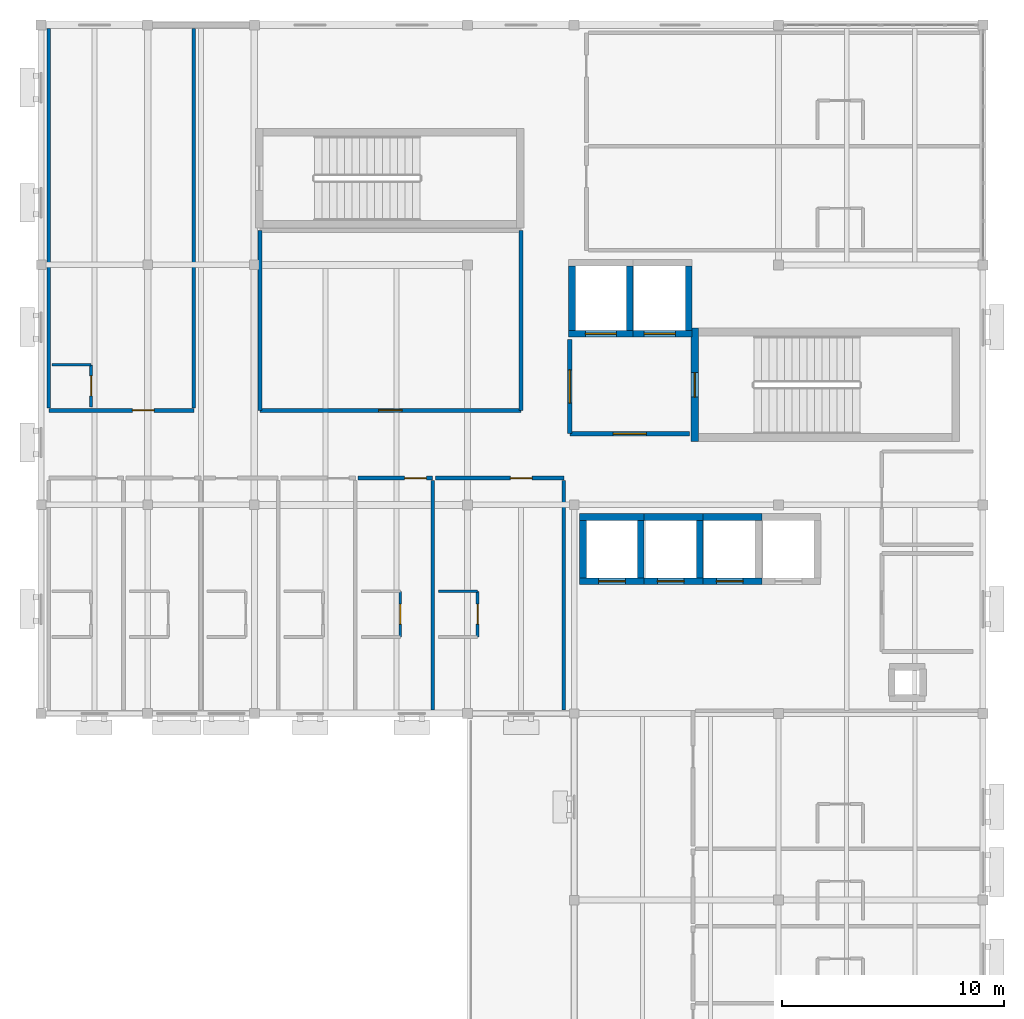
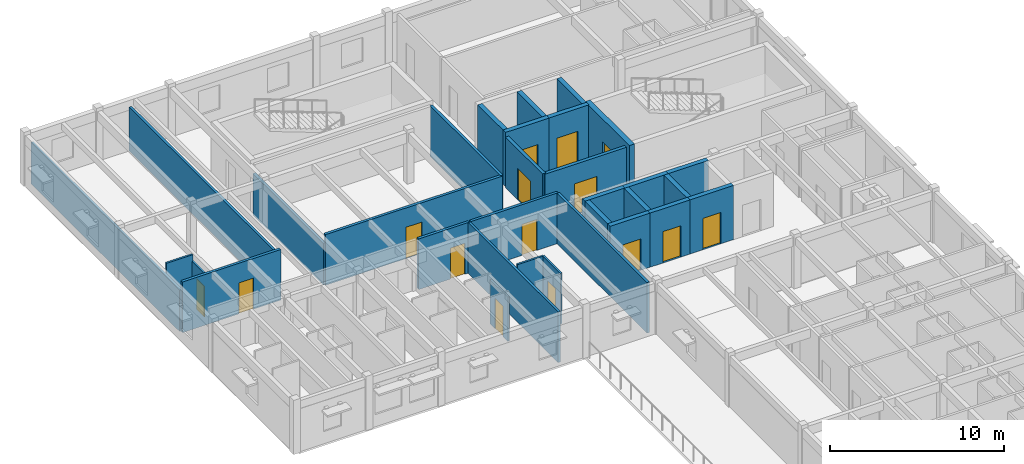
# One storey, part 9 of 18: 32 walls, 15 doors, 15 openings.
"""IFC4 building model written with IfcOpenShell, lengths in metres."""

from ifc_helpers import new_model, si_unit, direction, frame, frame_2d, origin, place, context, subcontext, project, spatial, rectangle, extrude, material, layer, layer_set, type_object, element, fill, save


model = new_model("IFC4")

# Units and contexts
model_context = context("Model", 3, precision=1e-05, world=origin(), true_north=direction((0.0, 1.0)))
body_context = subcontext(model_context, "Body", "Model", "MODEL_VIEW")
ifc_project = project(units=[si_unit("LENGTHUNIT", "METRE"), si_unit("AREAUNIT", "SQUARE_METRE"), si_unit("VOLUMEUNIT", "CUBIC_METRE"), si_unit("PLANEANGLEUNIT", "RADIAN"), si_unit("MASSUNIT", "GRAM", prefix="KILO")], contexts=[model_context])

# Site, building, storey
site_placement = place(None, origin())
site = spatial("IfcSite", under=ifc_project, at=site_placement, CompositionType="ELEMENT")
building_placement = place(site_placement, origin())
building = spatial("IfcBuilding", under=site, at=building_placement, Name="Veldera Park Congress Hotel", CompositionType="ELEMENT")
storey_placement = place(building_placement, frame((0.0, 0.0, 31.39990234375)))
storey = spatial("IfcBuildingStorey", under=building, at=storey_placement, Name="L07", CompositionType="ELEMENT", Elevation=31.39990234375)

# Wall, opening, door
ifc_material_1 = material(Name="Fire-Rated Gypsum Board on Cold-Formed Steel Studs", Category="steel")
ifc_layer_1 = layer(ifc_material_1, 0.1201171875)
ifc_layer_set_1 = layer_set([ifc_layer_1], Name="Fire-Rated Gypsum Board on Cold-Formed Steel Studs")
wall_type_1 = type_object("IfcWallType", Name="IW-BATH120", PredefinedType="PARTITIONING", material=ifc_layer_set_1)
wall_1_placement = place(storey_placement, frame((57.77001953125, 30.449951171875, 0.0), z_axis=(0.0, 0.0, 1.0), x_axis=(0.0, 1.0, 0.0)))
wall_1 = element("IfcWall", 1, at=wall_1_placement, inside=storey, type_object=wall_type_1, Name="L07 Partition Wall IW3-L07-01455", PredefinedType="PARTITIONING", context=body_context, shape_type="SweptSolid", body=[
    extrude(rectangle(XDim=2.050048828125, YDim=0.1201171875, at=frame_2d((1.02490234375, 0.0))), origin(), (0.0, 0.0, 1.0), 3.10009765625),
])
opening_1_placement = place(wall_1_placement, frame((0.574951171875, 0.0, 0.0)))
opening_1 = element("IfcOpeningElement", 2, at=opening_1_placement, cuts=wall_1, Name="Opening ID-BATH090", PredefinedType="OPENING", context=body_context, shape_type="SweptSolid", body=[
    extrude(rectangle(XDim=0.89990234375, YDim=2.14990234375, at=frame_2d((0.449951171875, 1.074951171875))), frame((0.0, 0.072021484375, 0.0), z_axis=(0.0, -1.0, 0.0), x_axis=(1.0, 0.0, 0.0)), (0.0, 0.0, 1.0), 0.14404296875),
])
ifc_material_2 = material(Name="Solid Core White Oak Architectural Door", Category="wood")
door_type_1 = type_object("IfcDoorType", Name="ID-BATH090", OperationType="NOTDEFINED", PredefinedType="DOOR", material=ifc_material_2)
door_1_placement = place(opening_1_placement, origin())
door_1 = element("IfcDoor", 3, at=door_1_placement, inside=storey, type_object=door_type_1, Name="L07 En-suite 232 Door ID3-L07-0603 (DR3-ID3-L07-0603)", OperationType="SINGLE_SWING_LEFT", OverallHeight=2.14990234375, OverallWidth=0.89990234375, PredefinedType="DOOR", context=body_context, shape_type="SweptSolid", body=[
    extrude(rectangle(XDim=0.89990234375, YDim=2.14990234375, at=frame_2d((0.449951171875, 1.074951171875))), frame((0.0, 0.02490234375, 0.0), z_axis=(0.0, -1.0, 0.0), x_axis=(1.0, 0.0, 0.0)), (0.0, 0.0, 1.0), 0.050048828125),
])
fill(opening_1, door_1)

# Wall
wall_2_placement = place(storey_placement, frame((59.5, 32.5, 0.0), z_axis=(0.0, 0.0, 1.0), x_axis=(1.0, 0.0, 0.0)))
element("IfcWall", 4, at=wall_2_placement, inside=storey, type_object=wall_type_1, Name="L07 Partition Wall IW3-L07-01459", PredefinedType="PARTITIONING", context=body_context, shape_type="SweptSolid", body=[
    extrude(rectangle(XDim=1.75, YDim=0.1201171875, at=frame_2d((0.875, 0.0))), origin(), (0.0, 0.0, 1.0), 3.55517578125),
])

# Wall, opening, door
wall_3_placement = place(storey_placement, frame((61.25, 30.449951171875, 0.0), z_axis=(0.0, 0.0, 1.0), x_axis=(0.0, 1.0, 0.0)))
wall_3 = element("IfcWall", 5, at=wall_3_placement, inside=storey, type_object=wall_type_1, Name="L07 Partition Wall IW3-L07-01460", PredefinedType="PARTITIONING", context=body_context, shape_type="SweptSolid", body=[
    extrude(rectangle(XDim=2.050048828125, YDim=0.1201171875, at=frame_2d((1.02490234375, 0.0))), origin(), (0.0, 0.0, 1.0), 3.55517578125),
])
opening_2_placement = place(wall_3_placement, frame((0.574951171875, 0.0, 0.0)))
opening_2 = element("IfcOpeningElement", 6, at=opening_2_placement, cuts=wall_3, Name="Opening ID-BATH090", PredefinedType="OPENING", context=body_context, shape_type="SweptSolid", body=[
    extrude(rectangle(XDim=0.89990234375, YDim=2.14990234375, at=frame_2d((0.449951171875, 1.074951171875))), frame((0.0, 0.072021484375, 0.0), z_axis=(0.0, -1.0, 0.0), x_axis=(1.0, 0.0, 0.0)), (0.0, 0.0, 1.0), 0.14404296875),
])
door_2_placement = place(opening_2_placement, origin())
door_2 = element("IfcDoor", 7, at=door_2_placement, inside=storey, type_object=door_type_1, Name="L07 En-suite 233 Door ID3-L07-0605 (DR3-ID3-L07-0605)", OperationType="SINGLE_SWING_LEFT", OverallHeight=2.14990234375, OverallWidth=0.89990234375, PredefinedType="DOOR", context=body_context, shape_type="SweptSolid", body=[
    extrude(rectangle(XDim=0.89990234375, YDim=2.14990234375, at=frame_2d((0.449951171875, 1.074951171875))), frame((0.0, 0.02490234375, 0.0), z_axis=(0.0, -1.0, 0.0), x_axis=(1.0, 0.0, 0.0)), (0.0, 0.0, 1.0), 0.050048828125),
])
fill(opening_2, door_2)

wall_4_placement = place(storey_placement, frame((43.85009765625, 40.800048828125, 0.0), z_axis=(0.0, 0.0, 1.0), x_axis=(0.0, 1.0, 0.0)))
wall_4 = element("IfcWall", 8, at=wall_4_placement, inside=storey, type_object=wall_type_1, Name="L07 Partition Wall IW3-L07-01476", PredefinedType="PARTITIONING", context=body_context, shape_type="SweptSolid", body=[
    extrude(rectangle(XDim=1.89990234375, YDim=0.1201171875, at=frame_2d((0.949951171875, 0.0))), origin(), (0.0, 0.0, 1.0), 3.10009765625),
])
opening_3_placement = place(wall_4_placement, frame((0.5, 0.0, 0.0)))
opening_3 = element("IfcOpeningElement", 9, at=opening_3_placement, cuts=wall_4, Name="Opening ID-BATH090", PredefinedType="OPENING", context=body_context, shape_type="SweptSolid", body=[
    extrude(rectangle(XDim=0.89990234375, YDim=2.14990234375, at=frame_2d((0.449951171875, 1.074951171875))), frame((0.0, 0.072021484375, 0.0), z_axis=(0.0, -1.0, 0.0), x_axis=(1.0, 0.0, 0.0)), (0.0, 0.0, 1.0), 0.14404296875),
])
door_3_placement = place(opening_3_placement, origin())
door_3 = element("IfcDoor", 10, at=door_3_placement, inside=storey, type_object=door_type_1, Name="L07 En-suite 236 Door ID3-L07-0611 (DR3-ID3-L07-0611)", OperationType="SINGLE_SWING_LEFT", OverallHeight=2.14990234375, OverallWidth=0.89990234375, PredefinedType="DOOR", context=body_context, shape_type="SweptSolid", body=[
    extrude(rectangle(XDim=0.89990234375, YDim=2.14990234375, at=frame_2d((0.449951171875, 1.074951171875))), frame((0.0, 0.02490234375, 0.0), z_axis=(0.0, -1.0, 0.0), x_axis=(1.0, 0.0, 0.0)), (0.0, 0.0, 1.0), 0.050048828125),
])
fill(opening_3, door_3)

# Wall
wall_5_placement = place(storey_placement, frame((42.10009765625, 42.699951171875, 0.0), z_axis=(0.0, 0.0, 1.0), x_axis=(1.0, 0.0, 0.0)))
element("IfcWall", 11, at=wall_5_placement, inside=storey, type_object=wall_type_1, Name="L07 Partition Wall IW3-L07-01477", PredefinedType="PARTITIONING", context=body_context, shape_type="SweptSolid", body=[
    extrude(rectangle(XDim=1.75, YDim=0.1201171875, at=frame_2d((0.875, 0.0))), origin(), (0.0, 0.0, 1.0), 3.55517578125),
])

# Wall, opening, door
ifc_layer_2 = layer(ifc_material_1, 0.179931640625)
ifc_layer_set_2 = layer_set([ifc_layer_2], Name="Fire-Rated Gypsum Board on Cold-Formed Steel Studs")
wall_type_2 = type_object("IfcWallType", Name="IW-CORR180", PredefinedType="PARTITIONING", material=ifc_layer_set_2)
wall_6_placement = place(storey_placement, frame((51.449951171875, 40.64990234375, 0.0), z_axis=(0.0, 0.0, 1.0), x_axis=(1.0, 0.0, 0.0)))
wall_6 = element("IfcWall", 12, at=wall_6_placement, inside=storey, type_object=wall_type_2, Name="L07 Partition Wall IW3-L07-00296", PredefinedType="PARTITIONING", context=body_context, shape_type="SweptSolid", body=[
    extrude(rectangle(XDim=11.75, YDim=0.179931640625, at=frame_2d((5.875, 0.0))), origin(), (0.0, 0.0, 1.0), 3.55517578125),
])
opening_4_placement = place(wall_6_placement, frame((5.35009765625, 0.0, 0.0)))
opening_4 = element("IfcOpeningElement", 13, at=opening_4_placement, cuts=wall_6, Name="Opening ID-MEET105", PredefinedType="OPENING", context=body_context, shape_type="SweptSolid", body=[
    extrude(rectangle(XDim=1.050048828125, YDim=2.199951171875, at=frame_2d((0.52490234375, 1.10009765625))), frame((0.0, 0.10205078125, 0.0), z_axis=(0.0, -1.0, 0.0), x_axis=(1.0, 0.0, 0.0)), (0.0, 0.0, 1.0), 0.203857421875),
])
door_type_2 = type_object("IfcDoorType", Name="ID-MEET105", OperationType="NOTDEFINED", PredefinedType="DOOR", material=ifc_material_2)
door_4_placement = place(opening_4_placement, origin())
door_4 = element("IfcDoor", 14, at=door_4_placement, inside=storey, type_object=door_type_2, Name="L07 L07 North Garden Executive Boardroom Door ID3-L07-0110 (DR3-ID3-L07-0110)", OperationType="SINGLE_SWING_LEFT", OverallHeight=2.199951171875, OverallWidth=1.050048828125, PredefinedType="DOOR", context=body_context, shape_type="SweptSolid", body=[
    extrude(rectangle(XDim=1.050048828125, YDim=2.199951171875, at=frame_2d((0.52490234375, 1.10009765625))), frame((0.0, 0.02490234375, 0.0), z_axis=(0.0, -1.0, 0.0), x_axis=(1.0, 0.0, 0.0)), (0.0, 0.0, 1.0), 0.050048828125),
])
fill(opening_4, door_4)

# Walls
wall_7_placement = place(storey_placement, frame((63.199951171875, 40.64990234375, 0.0), z_axis=(0.0, 0.0, 1.0), x_axis=(0.0, 1.0, 0.0)))
element("IfcWall", 15, at=wall_7_placement, inside=storey, type_object=wall_type_2, Name="L07 Partition Wall IW3-L07-00297", PredefinedType="PARTITIONING", context=body_context, shape_type="SweptSolid", body=[
    extrude(rectangle(XDim=8.10009765625, YDim=0.179931640625, at=frame_2d((4.050048828125, 0.0))), origin(), (0.0, 0.0, 1.0), 3.55517578125),
])
wall_8_placement = place(storey_placement, frame((51.449951171875, 48.75, 0.0), z_axis=(0.0, 0.0, 1.0), x_axis=(0.0, -1.0, 0.0)))
element("IfcWall", 16, at=wall_8_placement, inside=storey, type_object=wall_type_2, Name="L07 Partition Wall IW3-L07-00299", PredefinedType="PARTITIONING", context=body_context, shape_type="SweptSolid", body=[
    extrude(rectangle(XDim=8.10009765625, YDim=0.179931640625, at=frame_2d((4.050048828125, 0.0))), origin(), (0.0, 0.0, 1.0), 2.91015625),
])

# Wall, opening, door
wall_9_placement = place(storey_placement, frame((59.22998046875, 37.60009765625, 0.0), z_axis=(0.0, 0.0, 1.0), x_axis=(-1.0, 0.0, 0.0)))
wall_9 = element("IfcWall", 17, at=wall_9_placement, inside=storey, type_object=wall_type_2, Name="L07 Corridor Wall IW3-L07-01452", PredefinedType="PARTITIONING", context=body_context, shape_type="SweptSolid", body=[
    extrude(rectangle(XDim=3.35986328125, YDim=0.179931640625, at=frame_2d((1.679931640625, 0.0))), origin(), (0.0, 0.0, 1.0), 3.55517578125),
])
opening_5_placement = place(wall_9_placement, frame((0.280029296875, 0.0, 0.0)))
opening_5 = element("IfcOpeningElement", 18, at=opening_5_placement, cuts=wall_9, Name="Opening ID-UNIT098", PredefinedType="OPENING", context=body_context, shape_type="SweptSolid", body=[
    extrude(rectangle(XDim=0.97998046875, YDim=2.179931640625, at=frame_2d((0.489990234375, 1.08984375))), frame((0.0, 0.10205078125, 0.0), z_axis=(0.0, -1.0, 0.0), x_axis=(1.0, 0.0, 0.0)), (0.0, 0.0, 1.0), 0.203857421875),
])
door_type_3 = type_object("IfcDoorType", Name="ID-UNIT098", OperationType="NOTDEFINED", PredefinedType="DOOR", material=ifc_material_2)
door_5_placement = place(opening_5_placement, frame((0.97998046875, 0.0, 0.0), z_axis=(0.0, 0.0, 1.0), x_axis=(-1.0, 0.0, 0.0)))
door_5 = element("IfcDoor", 19, at=door_5_placement, inside=storey, type_object=door_type_3, Name="L07 Guestroom 232 Entry Door (DR3-UD3-L07-232)", OperationType="SINGLE_SWING_RIGHT", OverallHeight=2.179931640625, OverallWidth=0.97998046875, PredefinedType="DOOR", context=body_context, shape_type="SweptSolid", body=[
    extrude(rectangle(XDim=0.97998046875, YDim=2.179931640625, at=frame_2d((0.489990234375, 1.08984375))), frame((0.0, 0.02490234375, 0.0), z_axis=(0.0, -1.0, 0.0), x_axis=(1.0, 0.0, 0.0)), (0.0, 0.0, 1.0), 0.050048828125),
])
fill(opening_5, door_5)

wall_10_placement = place(storey_placement, frame((65.1298828125, 37.60009765625, 0.0), z_axis=(0.0, 0.0, 1.0), x_axis=(-1.0, 0.0, 0.0)))
wall_10 = element("IfcWall", 20, at=wall_10_placement, inside=storey, type_object=wall_type_2, Name="L07 Corridor Wall IW3-L07-01457", PredefinedType="PARTITIONING", context=body_context, shape_type="SweptSolid", body=[
    extrude(rectangle(XDim=5.77978515625, YDim=0.179931640625, at=frame_2d((2.889892578125, 0.0))), origin(), (0.0, 0.0, 1.0), 3.55517578125),
])
opening_6_placement = place(wall_10_placement, frame((1.419921875, 0.0, 0.0)))
opening_6 = element("IfcOpeningElement", 21, at=opening_6_placement, cuts=wall_10, Name="Opening ID-UNIT098", PredefinedType="OPENING", context=body_context, shape_type="SweptSolid", body=[
    extrude(rectangle(XDim=0.97998046875, YDim=2.179931640625, at=frame_2d((0.489990234375, 1.08984375))), frame((0.0, 0.10205078125, 0.0), z_axis=(0.0, -1.0, 0.0), x_axis=(1.0, 0.0, 0.0)), (0.0, 0.0, 1.0), 0.203857421875),
])
door_6_placement = place(opening_6_placement, frame((0.97998046875, 0.0, 0.0), z_axis=(0.0, 0.0, 1.0), x_axis=(-1.0, 0.0, 0.0)))
door_6 = element("IfcDoor", 22, at=door_6_placement, inside=storey, type_object=door_type_3, Name="L07 Guestroom 233 Entry Door (DR3-UD3-L07-233)", OperationType="SINGLE_SWING_RIGHT", OverallHeight=2.179931640625, OverallWidth=0.97998046875, PredefinedType="DOOR", context=body_context, shape_type="SweptSolid", body=[
    extrude(rectangle(XDim=0.97998046875, YDim=2.179931640625, at=frame_2d((0.489990234375, 1.08984375))), frame((0.0, 0.02490234375, 0.0), z_axis=(0.0, -1.0, 0.0), x_axis=(1.0, 0.0, 0.0)), (0.0, 0.0, 1.0), 0.050048828125),
])
fill(opening_6, door_6)

wall_11_placement = place(storey_placement, frame((41.949951171875, 40.64990234375, 0.0), z_axis=(0.0, 0.0, 1.0), x_axis=(1.0, 0.0, 0.0)))
wall_11 = element("IfcWall", 23, at=wall_11_placement, inside=storey, type_object=wall_type_2, Name="L07 Corridor Wall IW3-L07-01473", PredefinedType="PARTITIONING", context=body_context, shape_type="SweptSolid", body=[
    extrude(rectangle(XDim=6.530029296875, YDim=0.179931640625, at=frame_2d((3.26513671875, 0.0))), origin(), (0.0, 0.0, 1.0), 3.55517578125),
])
opening_7_placement = place(wall_11_placement, frame((3.7548828125, 0.0, 0.0)))
opening_7 = element("IfcOpeningElement", 24, at=opening_7_placement, cuts=wall_11, Name="Opening ID-UNIT098", PredefinedType="OPENING", context=body_context, shape_type="SweptSolid", body=[
    extrude(rectangle(XDim=0.97998046875, YDim=2.179931640625, at=frame_2d((0.489990234375, 1.08984375))), frame((0.0, 0.10205078125, 0.0), z_axis=(0.0, -1.0, 0.0), x_axis=(1.0, 0.0, 0.0)), (0.0, 0.0, 1.0), 0.203857421875),
])
door_7_placement = place(opening_7_placement, frame((0.97998046875, 0.0, 0.0), z_axis=(0.0, 0.0, 1.0), x_axis=(-1.0, 0.0, 0.0)))
door_7 = element("IfcDoor", 25, at=door_7_placement, inside=storey, type_object=door_type_3, Name="L07 Guestroom 236 Entry Door (DR3-UD3-L07-236)", OperationType="SINGLE_SWING_RIGHT", OverallHeight=2.179931640625, OverallWidth=0.97998046875, PredefinedType="DOOR", context=body_context, shape_type="SweptSolid", body=[
    extrude(rectangle(XDim=0.97998046875, YDim=2.179931640625, at=frame_2d((0.489990234375, 1.08984375))), frame((0.0, 0.02490234375, 0.0), z_axis=(0.0, -1.0, 0.0), x_axis=(1.0, 0.0, 0.0)), (0.0, 0.0, 1.0), 0.050048828125),
])
fill(opening_7, door_7)

ifc_material_3 = material(Name="Concrete f'c 40 MPa (5,800 psi)", Category="concrete")
ifc_layer_3 = layer(ifc_material_3, 0.219970703125)
ifc_layer_set_3 = layer_set([ifc_layer_3], Name="Concrete f'c 40 MPa (5,800 psi)")
wall_type_3 = type_object("IfcWallType", Name="IW-FIRE220", PredefinedType="STANDARD", material=ifc_layer_set_3)
wall_12_placement = place(storey_placement, frame((65.39990234375, 39.60009765625, 0.0), z_axis=(0.0, 0.0, 1.0), x_axis=(1.0, 0.0, 0.0)))
wall_12 = element("IfcWall", 26, at=wall_12_placement, inside=storey, type_object=wall_type_3, Name="L07 Partition Wall IW3-L07-00285", PredefinedType="STANDARD", context=body_context, shape_type="SweptSolid", body=[
    extrude(rectangle(XDim=5.400146484375, YDim=0.219970703125, at=frame_2d((2.7001953125, 0.0))), origin(), (0.0, 0.0, 1.0), 3.55517578125),
])
opening_8_placement = place(wall_12_placement, frame((1.949951171875, 0.0, 0.0)))
opening_8 = element("IfcOpeningElement", 27, at=opening_8_placement, cuts=wall_12, Name="Opening ID-LOB150", PredefinedType="OPENING", context=body_context, shape_type="SweptSolid", body=[
    extrude(rectangle(XDim=1.5, YDim=2.199951171875, at=frame_2d((0.75, 1.10009765625))), frame((0.0, 0.1220703125, 0.0), z_axis=(0.0, -1.0, 0.0), x_axis=(1.0, 0.0, 0.0)), (0.0, 0.0, 1.0), 0.243896484375),
])
ifc_material_4 = material(Name="Hollow Metal Fire-Rated Steel Door", Category="steel")
door_type_4 = type_object("IfcDoorType", Name="ID-LOB150", OperationType="DOUBLE_DOOR_SINGLE_SWING", PredefinedType="DOOR", material=ifc_material_4)
door_8_placement = place(opening_8_placement, origin())
door_8 = element("IfcDoor", 28, at=door_8_placement, inside=storey, type_object=door_type_4, Name="L07 Firefighting Lobby Door ID3-L07-0105 (DR3-ID3-L07-0105)", OperationType="DOUBLE_DOOR_SINGLE_SWING", OverallHeight=2.199951171875, OverallWidth=1.5, PredefinedType="DOOR", context=body_context, shape_type="SweptSolid", body=[
    extrude(rectangle(XDim=1.5, YDim=2.199951171875, at=frame_2d((0.75, 1.10009765625))), frame((0.0, 0.02490234375, 0.0), z_axis=(0.0, -1.0, 0.0), x_axis=(1.0, 0.0, 0.0)), (0.0, 0.0, 1.0), 0.050048828125),
])
fill(opening_8, door_8)

wall_13_placement = place(storey_placement, frame((65.39990234375, 43.85009765625, 0.0), z_axis=(0.0, 0.0, 1.0), x_axis=(0.0, -1.0, 0.0)))
wall_13 = element("IfcWall", 29, at=wall_13_placement, inside=storey, type_object=wall_type_3, Name="L07 Partition Wall IW3-L07-00286", PredefinedType="STANDARD", context=body_context, shape_type="SweptSolid", body=[
    extrude(rectangle(XDim=4.25, YDim=0.219970703125, at=frame_2d((2.125, 0.0))), origin(), (0.0, 0.0, 1.0), 3.55517578125),
])
opening_9_placement = place(wall_13_placement, frame((1.375, 0.0, 0.0)))
opening_9 = element("IfcOpeningElement", 30, at=opening_9_placement, cuts=wall_13, Name="Opening ID-LOB150", PredefinedType="OPENING", context=body_context, shape_type="SweptSolid", body=[
    extrude(rectangle(XDim=1.5, YDim=2.199951171875, at=frame_2d((0.75, 1.10009765625))), frame((0.0, 0.1220703125, 0.0), z_axis=(0.0, -1.0, 0.0), x_axis=(1.0, 0.0, 0.0)), (0.0, 0.0, 1.0), 0.243896484375),
])
door_9_placement = place(opening_9_placement, origin())
door_9 = element("IfcDoor", 31, at=door_9_placement, inside=storey, type_object=door_type_4, Name="L07 Firefighting Lobby Door ID3-L07-0106 (DR3-ID3-L07-0106)", OperationType="DOUBLE_DOOR_SINGLE_SWING", OverallHeight=2.199951171875, OverallWidth=1.5, PredefinedType="DOOR", context=body_context, shape_type="SweptSolid", body=[
    extrude(rectangle(XDim=1.5, YDim=2.199951171875, at=frame_2d((0.75, 1.10009765625))), frame((0.0, 0.02490234375, 0.0), z_axis=(0.0, -1.0, 0.0), x_axis=(1.0, 0.0, 0.0)), (0.0, 0.0, 1.0), 0.050048828125),
])
fill(opening_9, door_9)

# Walls
ifc_material_5 = material(Name="Cross-laminated timber CLT V2M1.1", Category="wood")
ifc_layer_4 = layer(ifc_material_5, 0.159912109375)
ifc_layer_set_4 = layer_set([ifc_layer_4], Name="Cross-laminated timber CLT V2M1.1")
wall_type_4 = type_object("IfcWallType", Name="IW-UNIT160", PredefinedType="PARTITIONING", material=ifc_layer_set_4)
for number, where, z_axis, x_axis, name in (
    (32, (59.22998046875, 27.159912109375, 0.0), (0.0, 0.0, 1.0), (0.0, 1.0, 0.0), "L07 Partition Wall IW3-L07-01453"),
    (33, (65.1298828125, 27.159912109375, 0.0), (0.0, 0.0, 1.0), (0.0, 1.0, 0.0), "L07 Partition Wall IW3-L07-01458"),
):
    element("IfcWall", number, at=place(storey_placement, frame(where, z_axis=z_axis, x_axis=x_axis)), inside=storey, type_object=wall_type_4, Name=name, PredefinedType="PARTITIONING", context=body_context, shape_type="SweptSolid", body=[
        extrude(rectangle(XDim=10.340087890625, YDim=0.159912109375, at=frame_2d((5.169921875, 0.0))), origin(), (0.0, 0.0, 1.0), 3.55517578125),
    ])
wall_14_placement = place(storey_placement, frame((41.949951171875, 40.75, 0.0), z_axis=(0.0, 0.0, 1.0), x_axis=(0.0, 1.0, 0.0)))
element("IfcWall", 34, at=wall_14_placement, inside=storey, type_object=wall_type_4, Name="L07 Partition Wall IW3-L07-01474", PredefinedType="PARTITIONING", context=body_context, shape_type="SweptSolid", body=[
    extrude(rectangle(XDim=17.090087890625, YDim=0.159912109375, at=frame_2d((8.544921875, 0.0))), origin(), (0.0, 0.0, 1.0), 2.91015625),
])
wall_15_placement = place(storey_placement, frame((48.47998046875, 40.75, 0.0), z_axis=(0.0, 0.0, 1.0), x_axis=(0.0, 1.0, 0.0)))
element("IfcWall", 35, at=wall_15_placement, inside=storey, type_object=wall_type_4, Name="L07 Partition Wall IW3-L07-01475", PredefinedType="PARTITIONING", context=body_context, shape_type="SweptSolid", body=[
    extrude(rectangle(XDim=17.090087890625, YDim=0.159912109375, at=frame_2d((8.544921875, 0.0))), origin(), (0.0, 0.0, 1.0), 3.10009765625),
])

# Wall, opening, door
ifc_layer_5 = layer(ifc_material_3, 0.35009765625)
ifc_layer_set_5 = layer_set([ifc_layer_5], Name="Concrete f'c 40 MPa (5,800 psi)")
wall_type_5 = type_object("IfcWallType", Name="SW-CORE350", PredefinedType="SHEAR", material=ifc_layer_set_5)
wall_16_placement = place(storey_placement, frame((71.02490234375, 44.35009765625, 0.0), z_axis=(0.0, 0.0, 1.0), x_axis=(0.0, -1.0, 0.0)))
wall_16 = element("IfcWall", 36, at=wall_16_placement, inside=storey, type_object=wall_type_5, Name="Stair ST1 Core Wall L07-W", PredefinedType="SHEAR", context=body_context, shape_type="SweptSolid", body=[
    extrude(rectangle(XDim=5.10009765625, YDim=0.35009765625, at=frame_2d((2.550048828125, 0.0))), origin(), (0.0, 0.0, 1.0), 3.800048828125),
])
opening_10_placement = place(wall_16_placement, frame((2.0, 0.0, 0.0)))
opening_10 = element("IfcOpeningElement", 37, at=opening_10_placement, cuts=wall_16, Name="Opening ID-STAIR110", PredefinedType="OPENING", context=body_context, shape_type="SweptSolid", body=[
    extrude(rectangle(XDim=1.10009765625, YDim=2.199951171875, at=frame_2d((0.550048828125, 1.10009765625))), frame((0.0, 0.18701171875, 0.0), z_axis=(0.0, -1.0, 0.0), x_axis=(1.0, 0.0, 0.0)), (0.0, 0.0, 1.0), 0.3740234375),
])
door_type_5 = type_object("IfcDoorType", Name="ID-STAIR110", OperationType="NOTDEFINED", PredefinedType="DOOR", material=ifc_material_4)
door_10_placement = place(opening_10_placement, origin())
door_10 = element("IfcDoor", 38, at=door_10_placement, inside=storey, type_object=door_type_5, Name="L07 Stair ST1 Fire Door (DR3-SD-ST1-L07)", OperationType="SINGLE_SWING_LEFT", OverallHeight=2.199951171875, OverallWidth=1.10009765625, PredefinedType="DOOR", context=body_context, shape_type="SweptSolid", body=[
    extrude(rectangle(XDim=1.10009765625, YDim=2.199951171875, at=frame_2d((0.550048828125, 1.10009765625))), frame((0.0, 0.02490234375, 0.0), z_axis=(0.0, -1.0, 0.0), x_axis=(1.0, 0.0, 0.0)), (0.0, 0.0, 1.0), 0.050048828125),
])
fill(opening_10, door_10)

ifc_layer_6 = layer(ifc_material_3, 0.300048828125)
ifc_layer_set_6 = layer_set([ifc_layer_6], Name="Concrete f'c 40 MPa (5,800 psi)")
wall_type_6 = type_object("IfcWallType", Name="SW-SHFT300", PredefinedType="SHEAR", material=ifc_layer_set_6)
wall_17_placement = place(storey_placement, frame((65.35009765625, 44.10009765625, 0.0), z_axis=(0.0, 0.0, 1.0), x_axis=(1.0, 0.0, 0.0)))
wall_17 = element("IfcWall", 39, at=wall_17_placement, inside=storey, type_object=wall_type_6, Name="Lift FL-01 Shaft Wall L07-S", PredefinedType="SHEAR", context=body_context, shape_type="SweptSolid", body=[
    extrude(rectangle(XDim=2.89990234375, YDim=0.300048828125, at=frame_2d((1.449951171875, 0.0))), origin(), (0.0, 0.0, 1.0), 3.800048828125),
])
opening_11_placement = place(wall_17_placement, frame((0.75, 0.0, 0.0)))
opening_11 = element("IfcOpeningElement", 40, at=opening_11_placement, cuts=wall_17, Name="Opening LD-140", PredefinedType="OPENING", context=body_context, shape_type="SweptSolid", body=[
    extrude(rectangle(XDim=1.39990234375, YDim=2.199951171875, at=frame_2d((0.699951171875, 1.10009765625))), frame((0.0, 0.162109375, 0.0), z_axis=(0.0, -1.0, 0.0), x_axis=(1.0, 0.0, 0.0)), (0.0, 0.0, 1.0), 0.323974609375),
])
door_type_6 = type_object("IfcDoorType", Name="LD-140", OperationType="DOUBLE_DOOR_SLIDING", PredefinedType="DOOR", material=ifc_material_4)
door_11_placement = place(opening_11_placement, origin())
door_11 = element("IfcDoor", 41, at=door_11_placement, inside=storey, type_object=door_type_6, Name="L07 Lift FL-01 Landing Door (DR3-LD-FL-01-L07)", OperationType="DOUBLE_DOOR_SLIDING", OverallHeight=2.199951171875, OverallWidth=1.39990234375, PredefinedType="DOOR", context=body_context, shape_type="SweptSolid", body=[
    extrude(rectangle(XDim=1.39990234375, YDim=2.199951171875, at=frame_2d((0.699951171875, 1.10009765625))), frame((0.0, 0.02490234375, 0.0), z_axis=(0.0, -1.0, 0.0), x_axis=(1.0, 0.0, 0.0)), (0.0, 0.0, 1.0), 0.050048828125),
])
fill(opening_11, door_11)

# Walls
for number, where, z_axis, x_axis, name in (
    (42, (68.10009765625, 44.25, 0.0), (0.0, 0.0, 1.0), (0.0, 1.0, 0.0), "Lift FL-01 Shaft Wall L07-E"),
    (43, (65.5, 47.14990234375, 0.0), (0.0, 0.0, 1.0), (0.0, -1.0, 0.0), "Lift FL-01 Shaft Wall L07-W"),
):
    element("IfcWall", number, at=place(storey_placement, frame(where, z_axis=z_axis, x_axis=x_axis)), inside=storey, type_object=wall_type_6, Name=name, PredefinedType="SHEAR", context=body_context, shape_type="SweptSolid", body=[
        extrude(rectangle(XDim=2.89990234375, YDim=0.300048828125, at=frame_2d((1.449951171875, 0.0))), origin(), (0.0, 0.0, 1.0), 3.800048828125),
    ])

# Wall, opening, door
wall_18_placement = place(storey_placement, frame((68.0, 44.10009765625, 0.0), z_axis=(0.0, 0.0, 1.0), x_axis=(1.0, 0.0, 0.0)))
wall_18 = element("IfcWall", 44, at=wall_18_placement, inside=storey, type_object=wall_type_6, Name="Lift FL-02 Shaft Wall L07-S", PredefinedType="SHEAR", context=body_context, shape_type="SweptSolid", body=[
    extrude(rectangle(XDim=2.89990234375, YDim=0.300048828125, at=frame_2d((1.449951171875, 0.0))), origin(), (0.0, 0.0, 1.0), 3.800048828125),
])
opening_12_placement = place(wall_18_placement, frame((0.75, 0.0, 0.0)))
opening_12 = element("IfcOpeningElement", 45, at=opening_12_placement, cuts=wall_18, Name="Opening LD-140", PredefinedType="OPENING", context=body_context, shape_type="SweptSolid", body=[
    extrude(rectangle(XDim=1.39990234375, YDim=2.199951171875, at=frame_2d((0.699951171875, 1.10009765625))), frame((0.0, 0.162109375, 0.0), z_axis=(0.0, -1.0, 0.0), x_axis=(1.0, 0.0, 0.0)), (0.0, 0.0, 1.0), 0.323974609375),
])
door_12_placement = place(opening_12_placement, origin())
door_12 = element("IfcDoor", 46, at=door_12_placement, inside=storey, type_object=door_type_6, Name="L07 Lift FL-02 Landing Door (DR3-LD-FL-02-L07)", OperationType="DOUBLE_DOOR_SLIDING", OverallHeight=2.199951171875, OverallWidth=1.39990234375, PredefinedType="DOOR", context=body_context, shape_type="SweptSolid", body=[
    extrude(rectangle(XDim=1.39990234375, YDim=2.199951171875, at=frame_2d((0.699951171875, 1.10009765625))), frame((0.0, 0.02490234375, 0.0), z_axis=(0.0, -1.0, 0.0), x_axis=(1.0, 0.0, 0.0)), (0.0, 0.0, 1.0), 0.050048828125),
])
fill(opening_12, door_12)

# Wall
wall_19_placement = place(storey_placement, frame((70.75, 44.25, 0.0), z_axis=(0.0, 0.0, 1.0), x_axis=(0.0, 1.0, 0.0)))
element("IfcWall", 47, at=wall_19_placement, inside=storey, type_object=wall_type_6, Name="Lift FL-02 Shaft Wall L07-E", PredefinedType="SHEAR", context=body_context, shape_type="SweptSolid", body=[
    extrude(rectangle(XDim=2.89990234375, YDim=0.300048828125, at=frame_2d((1.449951171875, 0.0))), origin(), (0.0, 0.0, 1.0), 3.800048828125),
])

# Wall, opening, door
wall_20_placement = place(storey_placement, frame((65.85009765625, 32.949951171875, 0.0), z_axis=(0.0, 0.0, 1.0), x_axis=(1.0, 0.0, 0.0)))
wall_20 = element("IfcWall", 48, at=wall_20_placement, inside=storey, type_object=wall_type_6, Name="Lift PL-01 Shaft Wall L07-S", PredefinedType="SHEAR", context=body_context, shape_type="SweptSolid", body=[
    extrude(rectangle(XDim=2.89990234375, YDim=0.300048828125, at=frame_2d((1.449951171875, 0.0))), origin(), (0.0, 0.0, 1.0), 3.800048828125),
])
opening_13_placement = place(wall_20_placement, frame((0.85009765625, 0.0, 0.0)))
opening_13 = element("IfcOpeningElement", 49, at=opening_13_placement, cuts=wall_20, Name="Opening LD-120", PredefinedType="OPENING", context=body_context, shape_type="SweptSolid", body=[
    extrude(rectangle(XDim=1.199951171875, YDim=2.199951171875, at=frame_2d((0.60009765625, 1.10009765625))), frame((0.0, 0.162109375, 0.0), z_axis=(0.0, -1.0, 0.0), x_axis=(1.0, 0.0, 0.0)), (0.0, 0.0, 1.0), 0.323974609375),
])
door_type_7 = type_object("IfcDoorType", Name="LD-120", OperationType="DOUBLE_DOOR_SLIDING", PredefinedType="DOOR", material=ifc_material_4)
door_13_placement = place(opening_13_placement, origin())
door_13 = element("IfcDoor", 50, at=door_13_placement, inside=storey, type_object=door_type_7, Name="L07 Lift PL-01 Landing Door (DR3-LD-PL-01-L07)", OperationType="DOUBLE_DOOR_SLIDING", OverallHeight=2.199951171875, OverallWidth=1.199951171875, PredefinedType="DOOR", context=body_context, shape_type="SweptSolid", body=[
    extrude(rectangle(XDim=1.199951171875, YDim=2.199951171875, at=frame_2d((0.60009765625, 1.10009765625))), frame((0.0, 0.02490234375, 0.0), z_axis=(0.0, -1.0, 0.0), x_axis=(1.0, 0.0, 0.0)), (0.0, 0.0, 1.0), 0.050048828125),
])
fill(opening_13, door_13)

# Walls
wall_21_placement = place(storey_placement, frame((68.75, 35.85009765625, 0.0), z_axis=(0.0, 0.0, 1.0), x_axis=(-1.0, 0.0, 0.0)))
element("IfcWall", 51, at=wall_21_placement, inside=storey, type_object=wall_type_6, Name="Lift PL-01 Shaft Wall L07-N", PredefinedType="SHEAR", context=body_context, shape_type="SweptSolid", body=[
    extrude(rectangle(XDim=2.89990234375, YDim=0.300048828125, at=frame_2d((1.449951171875, 0.0))), origin(), (0.0, 0.0, 1.0), 3.800048828125),
])
for number, where, z_axis, x_axis, name in (
    (52, (68.60009765625, 33.10009765625, 0.0), (0.0, 0.0, 1.0), (0.0, 1.0, 0.0), "Lift PL-01 Shaft Wall L07-E"),
    (53, (66.0, 35.699951171875, 0.0), (0.0, 0.0, 1.0), (0.0, -1.0, 0.0), "Lift PL-01 Shaft Wall L07-W"),
):
    element("IfcWall", number, at=place(storey_placement, frame(where, z_axis=z_axis, x_axis=x_axis)), inside=storey, type_object=wall_type_6, Name=name, PredefinedType="SHEAR", context=body_context, shape_type="SweptSolid", body=[
        extrude(rectangle(XDim=2.599853515625, YDim=0.300048828125, at=frame_2d((1.2998046875, 0.0))), origin(), (0.0, 0.0, 1.0), 3.800048828125),
    ])

# Wall, opening, door
wall_22_placement = place(storey_placement, frame((68.5, 32.949951171875, 0.0), z_axis=(0.0, 0.0, 1.0), x_axis=(1.0, 0.0, 0.0)))
wall_22 = element("IfcWall", 54, at=wall_22_placement, inside=storey, type_object=wall_type_6, Name="Lift PL-02 Shaft Wall L07-S", PredefinedType="SHEAR", context=body_context, shape_type="SweptSolid", body=[
    extrude(rectangle(XDim=2.89990234375, YDim=0.300048828125, at=frame_2d((1.449951171875, 0.0))), origin(), (0.0, 0.0, 1.0), 3.800048828125),
])
opening_14_placement = place(wall_22_placement, frame((0.85009765625, 0.0, 0.0)))
opening_14 = element("IfcOpeningElement", 55, at=opening_14_placement, cuts=wall_22, Name="Opening LD-120", PredefinedType="OPENING", context=body_context, shape_type="SweptSolid", body=[
    extrude(rectangle(XDim=1.199951171875, YDim=2.199951171875, at=frame_2d((0.60009765625, 1.10009765625))), frame((0.0, 0.162109375, 0.0), z_axis=(0.0, -1.0, 0.0), x_axis=(1.0, 0.0, 0.0)), (0.0, 0.0, 1.0), 0.323974609375),
])
door_14_placement = place(opening_14_placement, origin())
door_14 = element("IfcDoor", 56, at=door_14_placement, inside=storey, type_object=door_type_7, Name="L07 Lift PL-02 Landing Door (DR3-LD-PL-02-L07)", OperationType="DOUBLE_DOOR_SLIDING", OverallHeight=2.199951171875, OverallWidth=1.199951171875, PredefinedType="DOOR", context=body_context, shape_type="SweptSolid", body=[
    extrude(rectangle(XDim=1.199951171875, YDim=2.199951171875, at=frame_2d((0.60009765625, 1.10009765625))), frame((0.0, 0.02490234375, 0.0), z_axis=(0.0, -1.0, 0.0), x_axis=(1.0, 0.0, 0.0)), (0.0, 0.0, 1.0), 0.050048828125),
])
fill(opening_14, door_14)

# Walls
wall_23_placement = place(storey_placement, frame((71.39990234375, 35.85009765625, 0.0), z_axis=(0.0, 0.0, 1.0), x_axis=(-1.0, 0.0, 0.0)))
element("IfcWall", 57, at=wall_23_placement, inside=storey, type_object=wall_type_6, Name="Lift PL-02 Shaft Wall L07-N", PredefinedType="SHEAR", context=body_context, shape_type="SweptSolid", body=[
    extrude(rectangle(XDim=2.89990234375, YDim=0.300048828125, at=frame_2d((1.449951171875, 0.0))), origin(), (0.0, 0.0, 1.0), 3.800048828125),
])
wall_24_placement = place(storey_placement, frame((71.25, 33.10009765625, 0.0), z_axis=(0.0, 0.0, 1.0), x_axis=(0.0, 1.0, 0.0)))
element("IfcWall", 58, at=wall_24_placement, inside=storey, type_object=wall_type_6, Name="Lift PL-02 Shaft Wall L07-E", PredefinedType="SHEAR", context=body_context, shape_type="SweptSolid", body=[
    extrude(rectangle(XDim=2.599853515625, YDim=0.300048828125, at=frame_2d((1.2998046875, 0.0))), origin(), (0.0, 0.0, 1.0), 3.800048828125),
])

# Wall, opening, door
wall_25_placement = place(storey_placement, frame((71.14990234375, 32.949951171875, 0.0), z_axis=(0.0, 0.0, 1.0), x_axis=(1.0, 0.0, 0.0)))
wall_25 = element("IfcWall", 59, at=wall_25_placement, inside=storey, type_object=wall_type_6, Name="Lift PL-03 Shaft Wall L07-S", PredefinedType="SHEAR", context=body_context, shape_type="SweptSolid", body=[
    extrude(rectangle(XDim=2.900146484375, YDim=0.300048828125, at=frame_2d((1.4501953125, 0.0))), origin(), (0.0, 0.0, 1.0), 3.800048828125),
])
opening_15_placement = place(wall_25_placement, frame((0.85009765625, 0.0, 0.0)))
opening_15 = element("IfcOpeningElement", 60, at=opening_15_placement, cuts=wall_25, Name="Opening LD-120", PredefinedType="OPENING", context=body_context, shape_type="SweptSolid", body=[
    extrude(rectangle(XDim=1.199951171875, YDim=2.199951171875, at=frame_2d((0.60009765625, 1.10009765625))), frame((0.0, 0.162109375, 0.0), z_axis=(0.0, -1.0, 0.0), x_axis=(1.0, 0.0, 0.0)), (0.0, 0.0, 1.0), 0.323974609375),
])
door_15_placement = place(opening_15_placement, origin())
door_15 = element("IfcDoor", 61, at=door_15_placement, inside=storey, type_object=door_type_7, Name="L07 Lift PL-03 Landing Door (DR3-LD-PL-03-L07)", OperationType="DOUBLE_DOOR_SLIDING", OverallHeight=2.199951171875, OverallWidth=1.199951171875, PredefinedType="DOOR", context=body_context, shape_type="SweptSolid", body=[
    extrude(rectangle(XDim=1.199951171875, YDim=2.199951171875, at=frame_2d((0.60009765625, 1.10009765625))), frame((0.0, 0.02490234375, 0.0), z_axis=(0.0, -1.0, 0.0), x_axis=(1.0, 0.0, 0.0)), (0.0, 0.0, 1.0), 0.050048828125),
])
fill(opening_15, door_15)

# Wall
wall_26_placement = place(storey_placement, frame((74.050048828125, 35.85009765625, 0.0), z_axis=(0.0, 0.0, 1.0), x_axis=(-1.0, 0.0, 0.0)))
element("IfcWall", 62, at=wall_26_placement, inside=storey, type_object=wall_type_6, Name="Lift PL-03 Shaft Wall L07-N", PredefinedType="SHEAR", context=body_context, shape_type="SweptSolid", body=[
    extrude(rectangle(XDim=2.900146484375, YDim=0.300048828125, at=frame_2d((1.4501953125, 0.0))), origin(), (0.0, 0.0, 1.0), 3.800048828125),
])

save(model, "model.ifc")
